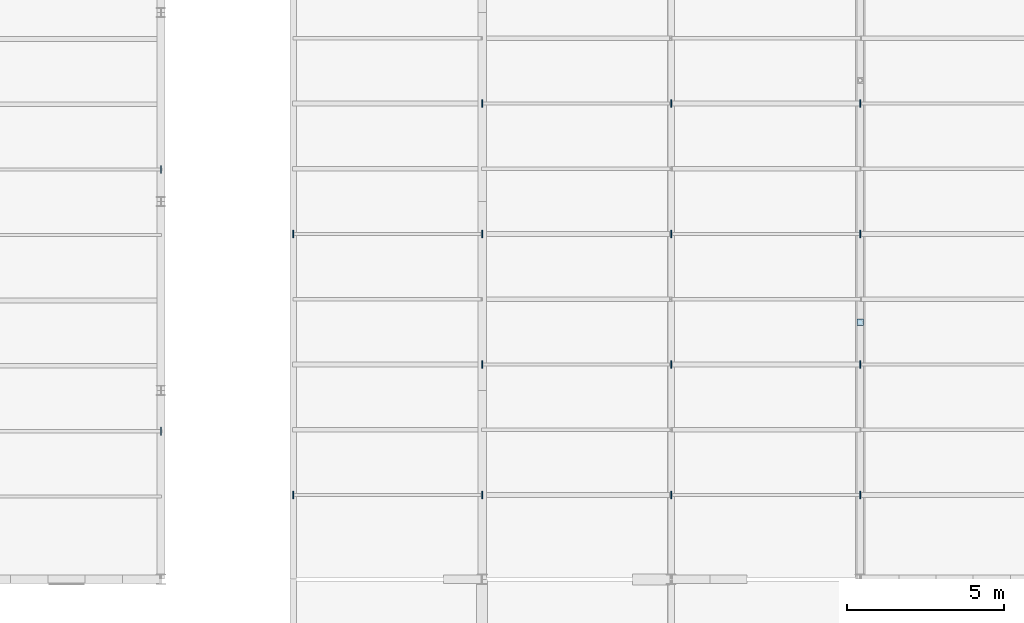
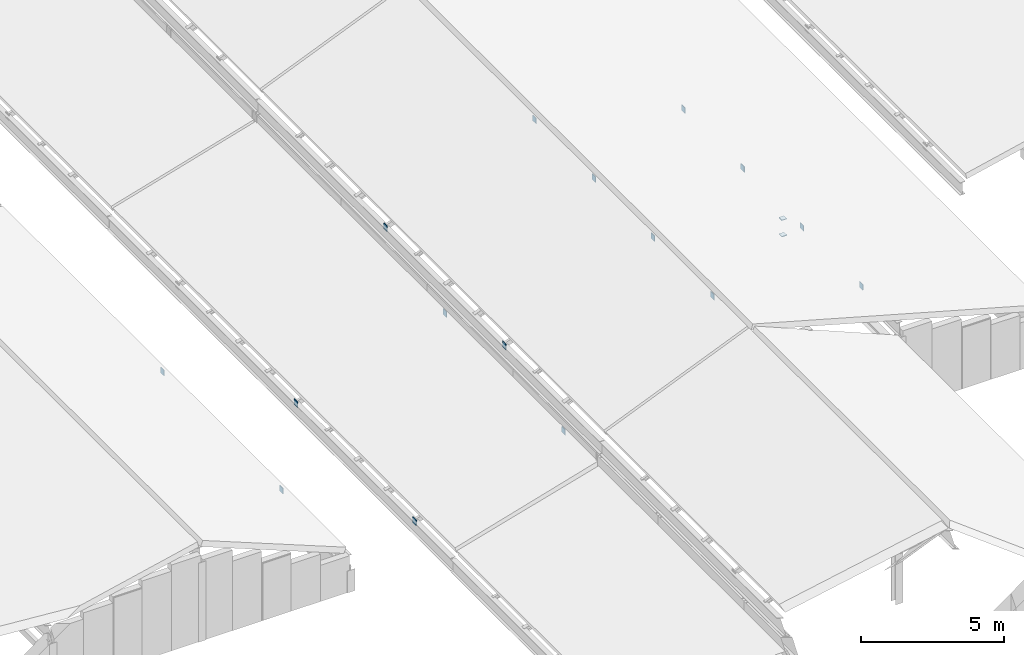
# One storey, part 44 of 74: 18 plates.
"""IFC4 building model written with IfcOpenShell, lengths in metres."""

from ifc_helpers import new_model, si_unit, direction, frame, origin, origin_2d, place, context, subcontext, project, spatial, rectangle, extrude, material, layer, layer_set, type_object, element, save


model = new_model("IFC4")

# Units and contexts
model_context = context("Model", 3, precision=1e-05, world=origin(), true_north=direction((0.0, 1.0)))
body_context = subcontext(model_context, "Body", "Model", "MODEL_VIEW")
ifc_project = project(units=[si_unit("LENGTHUNIT", "METRE"), si_unit("AREAUNIT", "SQUARE_METRE"), si_unit("VOLUMEUNIT", "CUBIC_METRE"), si_unit("PLANEANGLEUNIT", "RADIAN"), si_unit("MASSUNIT", "GRAM", prefix="KILO")], contexts=[model_context])

# Site, building, storey
site_placement = place(None, origin())
site = spatial("IfcSite", under=ifc_project, at=site_placement, CompositionType="ELEMENT")
building_placement = place(site_placement, origin())
building = spatial("IfcBuilding", under=site, at=building_placement, Name="Siltcreek Boulevard Central Fire Station", CompositionType="ELEMENT")
storey_placement = place(building_placement, frame((0.0, 0.0, 25.199951171875)))
storey = spatial("IfcBuildingStorey", under=building, at=storey_placement, Name="RF", CompositionType="ELEMENT", Elevation=25.199951171875)

# Plates
ifc_material = material(Name="Structural steel ASTM A572 Gr50", Category="steel")
ifc_layer = layer(ifc_material, 0.02490234375, Name="Structural steel ASTM A572 Gr50")
ifc_layer_set = layer_set([ifc_layer], Name="Structural steel ASTM A572 Gr50")
plate_type = type_object("IfcPlateType", Name="PL_CAP25", PredefinedType="USERDEFINED", material=ifc_layer_set)
for number, where, z_axis, x_axis, name in (
    (1, (42.0, 20.680908203125, -15.49853515625), (0.0, 0.0, 1.0), (1.0, 0.0, 0.0), "Sloped roof purlin PR-0007 sealed end cap 1"),
    (2, (48.0, 20.680908203125, -13.74853515625), (0.0, 0.0, 1.0), (1.0, 0.0, 0.0), "Sloped roof purlin PR-0007 sealed end cap 2"),
    (3, (42.0, 28.964599609375, -15.49853515625), (0.0, 0.0, 1.0), (1.0, 0.0, 0.0), "Sloped roof purlin PR-0011 sealed end cap 1"),
    (4, (48.0, 28.964599609375, -13.74853515625), (0.0, 0.0, 1.0), (1.0, 0.0, 0.0), "Sloped roof purlin PR-0011 sealed end cap 2"),
    (5, (48.000244140625, 24.82275390625, -12.61279296875), (0.0, 0.0, 1.0), (1.0, 0.0, 0.0), "Sloped roof purlin PR-0035 sealed end cap 1"),
    (6, (53.999755859375, 24.82275390625, -10.11328125), (0.0, 0.0, 1.0), (1.0, 0.0, 0.0), "Sloped roof purlin PR-0035 sealed end cap 2"),
    (7, (48.000244140625, 33.1064453125, -12.61279296875), (0.0, 0.0, 1.0), (1.0, 0.0, 0.0), "Sloped roof purlin PR-0039 sealed end cap 1"),
    (8, (53.999755859375, 33.1064453125, -10.11328125), (0.0, 0.0, 1.0), (1.0, 0.0, 0.0), "Sloped roof purlin PR-0039 sealed end cap 2"),
):
    element("IfcPlate", number, at=place(storey_placement, frame(where, z_axis=z_axis, x_axis=x_axis)), inside=storey, type_object=plate_type, Name=name, ObjectType="END CAP", PredefinedType="USERDEFINED", context=body_context, shape_type="SweptSolid", body=[
        extrude(rectangle(XDim=0.02490234375, YDim=0.239990234375, at=origin_2d()), origin(), (0.0, 0.0, 1.0), 0.239990234375),
    ])
for number, where, z_axis, x_axis, name in (
    (9, (60.0, 26.159912109375, -12.8095703125), (0.0, 0.0, 1.0), (1.0, 0.0, 0.0), "Roof truss web strut BR-042 sealed end cap 1"),
    (10, (60.0, 26.159912109375, -12.1083984375), (0.0, 0.0, 1.0), (1.0, 0.0, 0.0), "Roof truss web strut BR-042 sealed end cap 2"),
):
    element("IfcPlate", number, at=place(storey_placement, frame(where, z_axis=z_axis, x_axis=x_axis)), inside=storey, type_object=plate_type, Name=name, ObjectType="END CAP", PredefinedType="USERDEFINED", context=body_context, shape_type="SweptSolid", body=[
        extrude(rectangle(XDim=0.208251953125, YDim=0.208251953125, at=origin_2d()), origin(), (0.0, 0.0, 1.0), 0.02490234375),
    ])
for number, where, z_axis, x_axis, name in (
    (11, (54.0, 20.680908203125, -10.09716796875), (0.0, 0.0, 1.0), (1.0, 0.0, 0.0), "Sloped roof purlin PR-0043 sealed end cap 1"),
    (12, (60.0, 20.680908203125, -11.7724609375), (0.0, 0.0, 1.0), (1.0, 0.0, 0.0), "Sloped roof purlin PR-0043 sealed end cap 2"),
    (13, (54.0, 28.964599609375, -10.09716796875), (0.0, 0.0, 1.0), (1.0, 0.0, 0.0), "Sloped roof purlin PR-0047 sealed end cap 1"),
    (14, (60.0, 28.964599609375, -11.7724609375), (0.0, 0.0, 1.0), (1.0, 0.0, 0.0), "Sloped roof purlin PR-0047 sealed end cap 2"),
    (15, (60.0, 24.82275390625, -11.7724609375), (0.0, 0.0, 1.0), (1.0, 0.0, 0.0), "Sloped roof purlin PR-0055 sealed end cap 1"),
    (16, (60.0, 33.1064453125, -11.7724609375), (0.0, 0.0, 1.0), (1.0, 0.0, 0.0), "Sloped roof purlin PR-0059 sealed end cap 1"),
    (17, (37.7998046875, 22.70263671875, -13.91064453125), (0.0, 0.0, 1.0), (1.0, 0.0, 0.0), "Sloped roof purlin PR-0247 sealed end cap 2"),
    (18, (37.7998046875, 31.00830078125, -13.91064453125), (0.0, 0.0, 1.0), (1.0, 0.0, 0.0), "Sloped roof purlin PR-0251 sealed end cap 2"),
):
    element("IfcPlate", number, at=place(storey_placement, frame(where, z_axis=z_axis, x_axis=x_axis)), inside=storey, type_object=plate_type, Name=name, ObjectType="END CAP", PredefinedType="USERDEFINED", context=body_context, shape_type="SweptSolid", body=[
        extrude(rectangle(XDim=0.02490234375, YDim=0.239990234375, at=origin_2d()), origin(), (0.0, 0.0, 1.0), 0.239990234375),
    ])

save(model, "model.ifc")
